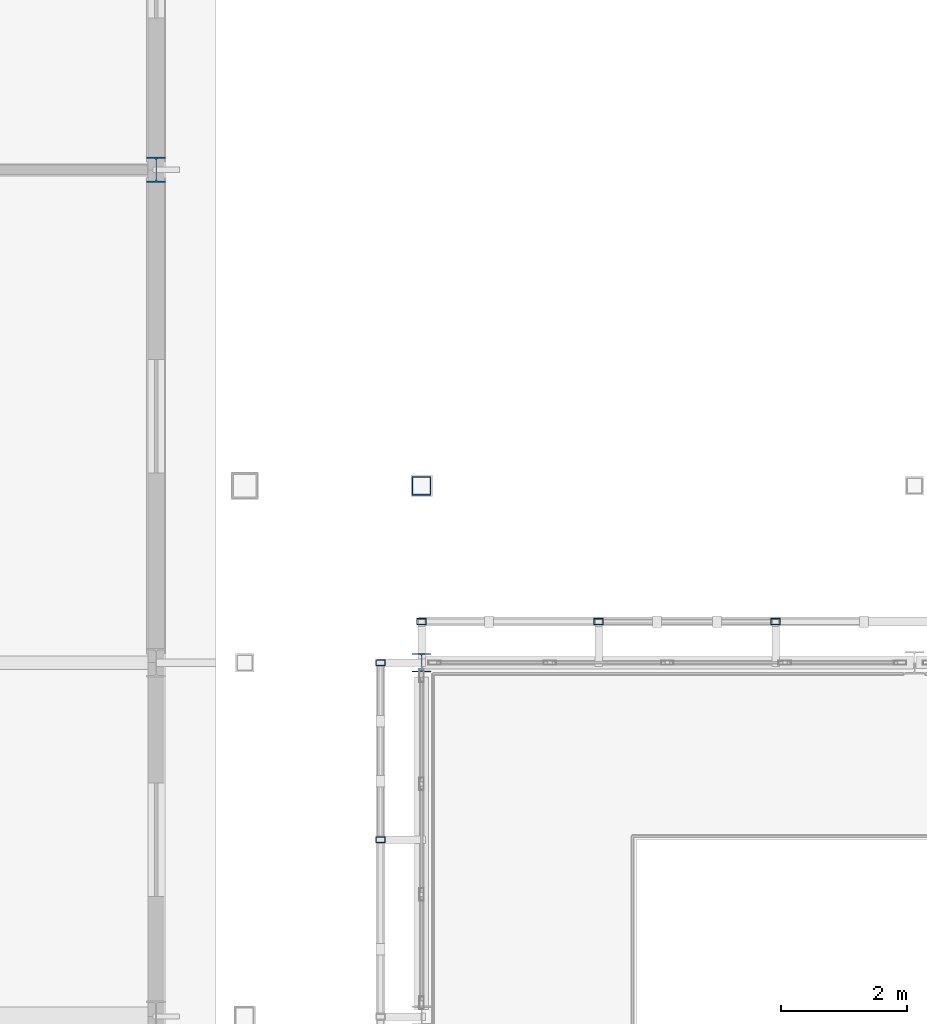
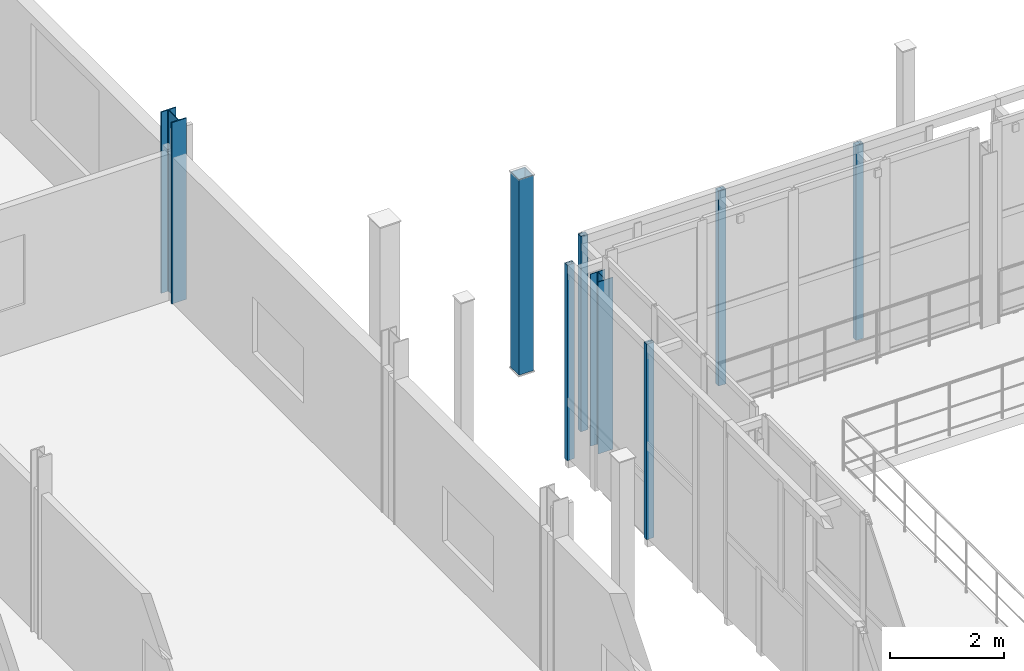
# One storey, part 8 of 78: 8 columns.
"""IFC4 building model written with IfcOpenShell, lengths in metres."""

from ifc_helpers import new_model, si_unit, direction, frame, origin, origin_2d, place, context, subcontext, project, spatial, hollow_rectangle, i_section, extrude, material, material_profile, profile_set, type_object, element, save


model = new_model("IFC4")

# Units and contexts
model_context = context("Model", 3, precision=1e-05, world=origin(), true_north=direction((0.0, 1.0)))
body_context = subcontext(model_context, "Body", "Model", "MODEL_VIEW")
ifc_project = project(units=[si_unit("LENGTHUNIT", "METRE"), si_unit("AREAUNIT", "SQUARE_METRE"), si_unit("VOLUMEUNIT", "CUBIC_METRE"), si_unit("PLANEANGLEUNIT", "RADIAN"), si_unit("MASSUNIT", "GRAM", prefix="KILO")], contexts=[model_context])

# Site, building, storey
site_placement = place(None, origin())
site = spatial("IfcSite", under=ifc_project, at=site_placement, CompositionType="ELEMENT")
building_placement = place(site_placement, origin())
building = spatial("IfcBuilding", under=site, at=building_placement, Name="Vinh Khe Railworks Police Headquarters", CompositionType="ELEMENT")
storey_placement = place(building_placement, frame((0.0, 0.0, 13.199951171875)))
storey = spatial("IfcBuildingStorey", under=building, at=storey_placement, Name="L03", CompositionType="ELEMENT", Elevation=13.199951171875)

# Columns
ifc_material = material(Name="Steel S355JR", Category="steel")
ifc_material_profile_1 = material_profile(ifc_material, hollow_rectangle(XDim=0.14990234375, YDim=0.10009765625, WallThickness=0.008056640625, at=origin_2d()), Name="RHS 150x100x8")
ifc_profile_set_1 = profile_set([ifc_material_profile_1], Name="Steel S355JR")
column_type_1 = type_object("IfcColumnType", Name="COL-QUILT-POST", PredefinedType="COLUMN", material=ifc_profile_set_1)
for number, where, z_axis, x_axis, name in (
    (1, (26.39990234375, 59.449951171875, 0.0), (0.0, 0.0, 1.0), (1.0, 0.0, 0.0), "Patchwork Quilt Carrier Column N-1 (L03)"),
    (2, (29.199951171875, 59.449951171875, 0.0), (0.0, 0.0, 1.0), (1.0, 0.0, 0.0), "Patchwork Quilt Carrier Column N-2 (L03)"),
    (3, (32.0, 59.449951171875, 0.0), (0.0, 0.0, 1.0), (1.0, 0.0, 0.0), "Patchwork Quilt Carrier Column N-3 (L03)"),
    (4, (25.75, 56.0, 0.0), (0.0, 0.0, 1.0), (1.0, 0.0, 0.0), "Patchwork Quilt Carrier Column W-12 (L03)"),
    (5, (25.75, 58.800048828125, 0.0), (0.0, 0.0, 1.0), (1.0, 0.0, 0.0), "Patchwork Quilt Carrier Column W-13 (L03)"),
):
    element("IfcColumn", number, at=place(storey_placement, frame(where, z_axis=z_axis, x_axis=x_axis)), inside=storey, type_object=column_type_1, Name=name, PredefinedType="COLUMN", context=body_context, shape_type="SweptSolid", body=[
        extrude(hollow_rectangle(XDim=0.14990234375, YDim=0.10009765625, WallThickness=0.008056640625, at=origin_2d()), origin(), (0.0, 0.0, 1.0), 4.199951171875),
    ])
ifc_material_profile_2 = material_profile(ifc_material, i_section(OverallWidth=0.300048828125, OverallDepth=0.2900390625, WebThickness=0.008544921875, FlangeThickness=0.013916015625, FilletRadius=0.027099609375, at=origin_2d()), Name="HEA 300")
ifc_profile_set_2 = profile_set([ifc_material_profile_2], Name="Steel S355JR")
column_type_2 = type_object("IfcColumnType", Name="Steel Column HEA 300", PredefinedType="COLUMN", material=ifc_profile_set_2)
column_1_placement = place(storey_placement, frame((26.39990234375, 58.800048828125, 0.0), z_axis=(0.0, 0.0, 1.0), x_axis=(1.0, 0.0, 0.0)))
element("IfcColumn", 6, at=column_1_placement, inside=storey, type_object=column_type_2, Name="Column COL-L03-SC-18-0756", PredefinedType="COLUMN", context=body_context, shape_type="SweptSolid", body=[
    extrude(i_section(OverallWidth=0.300048828125, OverallDepth=0.2900390625, WebThickness=0.008544921875, FlangeThickness=0.013916015625, FilletRadius=0.027099609375, at=origin_2d()), origin(), (0.0, 0.0, 1.0), 3.699951171875),
])
ifc_material_profile_3 = material_profile(ifc_material, i_section(OverallWidth=0.300048828125, OverallDepth=0.39990234375, WebThickness=0.013427734375, FlangeThickness=0.02392578125, FilletRadius=0.027099609375, at=origin_2d()), Name="HEB 400")
ifc_profile_set_3 = profile_set([ifc_material_profile_3], Name="Steel S355JR")
column_type_3 = type_object("IfcColumnType", Name="Steel Column HEB 400", PredefinedType="COLUMN", material=ifc_profile_set_3)
column_2_placement = place(storey_placement, frame((22.199951171875, 66.60009765625, 0.0), z_axis=(0.0, 0.0, 1.0), x_axis=(1.0, 0.0, 0.0)))
element("IfcColumn", 7, at=column_2_placement, inside=storey, type_object=column_type_3, Name="Column COL-L03-SC-08-0584", PredefinedType="COLUMN", context=body_context, shape_type="SweptSolid", body=[
    extrude(i_section(OverallWidth=0.300048828125, OverallDepth=0.39990234375, WebThickness=0.013427734375, FlangeThickness=0.02392578125, FilletRadius=0.027099609375, at=origin_2d()), origin(), (0.0, 0.0, 1.0), 3.900146484375),
])
ifc_material_profile_4 = material_profile(ifc_material, hollow_rectangle(XDim=0.300048828125, YDim=0.300048828125, WallThickness=0.01611328125, at=origin_2d()), Name="SHS 300x300x16")
ifc_profile_set_4 = profile_set([ifc_material_profile_4], Name="Steel S355JR")
column_type_4 = type_object("IfcColumnType", Name="Steel Column SHS 300x300x16", PredefinedType="COLUMN", material=ifc_profile_set_4)
column_3_placement = place(storey_placement, frame((26.39990234375, 61.60009765625, 0.0), z_axis=(0.0, 0.0, 1.0), x_axis=(1.0, 0.0, 0.0)))
element("IfcColumn", 8, at=column_3_placement, inside=storey, type_object=column_type_4, Name="Column COL-L03-SC-23-0761", PredefinedType="COLUMN", context=body_context, shape_type="SweptSolid", body=[
    extrude(hollow_rectangle(XDim=0.300048828125, YDim=0.300048828125, WallThickness=0.01611328125, at=origin_2d()), origin(), (0.0, 0.0, 1.0), 4.199951171875),
])

save(model, "model.ifc")
